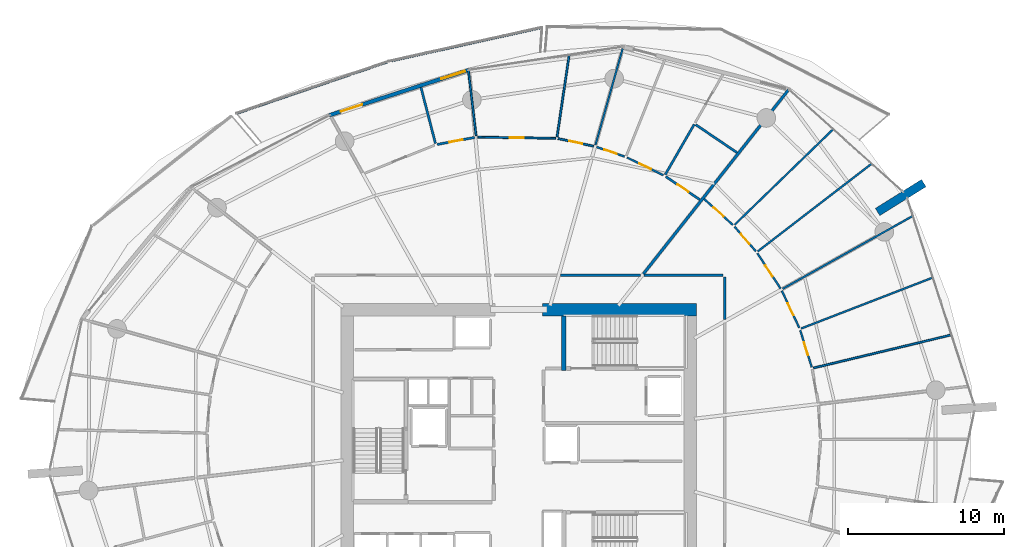
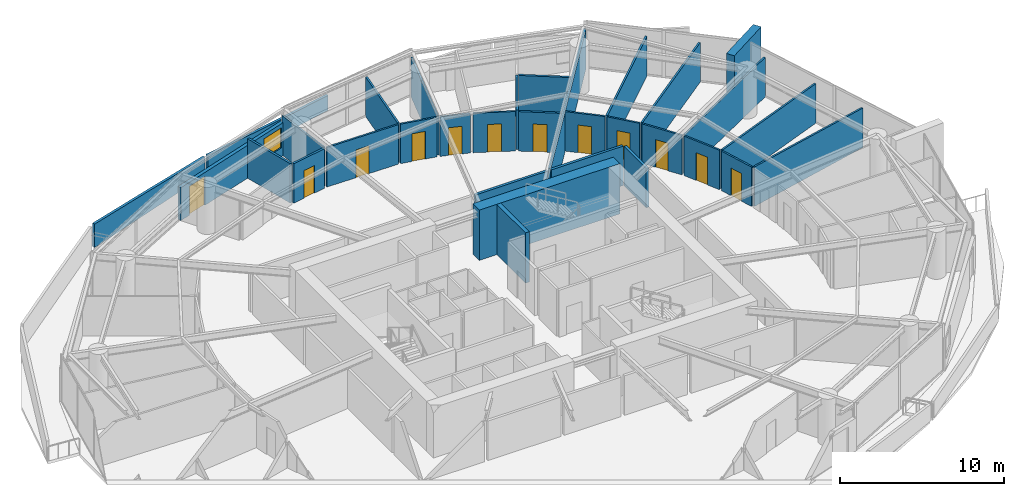
# One storey, part 15 of 23: 32 walls, 12 doors, 1 window, 13 openings.
"""IFC4 building model written with IfcOpenShell, lengths in metres."""

from ifc_helpers import new_model, si_unit, direction, frame, frame_2d, origin, place, context, subcontext, project, spatial, polyline, rectangle, outline, extrude, material, layer, layer_set, type_object, element, fill, save


model = new_model("IFC4")

# Units and contexts
model_context = context("Model", 3, precision=1e-05, world=origin(), true_north=direction((0.0, 1.0)))
body_context = subcontext(model_context, "Body", "Model", "MODEL_VIEW")
ifc_project = project(units=[si_unit("LENGTHUNIT", "METRE"), si_unit("AREAUNIT", "SQUARE_METRE"), si_unit("VOLUMEUNIT", "CUBIC_METRE"), si_unit("PLANEANGLEUNIT", "RADIAN"), si_unit("MASSUNIT", "GRAM", prefix="KILO")], contexts=[model_context])

# Site, building, storey
site_placement = place(None, origin())
site = spatial("IfcSite", under=ifc_project, at=site_placement, CompositionType="ELEMENT")
building_placement = place(site_placement, origin())
building = spatial("IfcBuilding", under=site, at=building_placement, Name="Kazma Halo Residences", CompositionType="ELEMENT")
storey_placement = place(building_placement, frame((0.0, 0.0, 108.89990234375)))
storey = spatial("IfcBuildingStorey", under=building, at=storey_placement, Name="L27", CompositionType="ELEMENT", Elevation=108.89990234375)

# Walls
ifc_material_1 = material(Name="White Concrete C50/60 Balustrade", Category="concrete")
ifc_layer_1 = layer(ifc_material_1, 0.179931640625)
ifc_layer_set_1 = layer_set([ifc_layer_1], Name="White Concrete C50/60 Balustrade")
wall_type_1 = type_object("IfcWallType", Name="WL-BAL-WAVE-180", PredefinedType="PARAPET", material=ifc_layer_set_1)
wall_1_placement = place(storey_placement, frame((49.9248046875, 68.52685546875, 0.0), z_axis=(0.0, 0.0, 1.0), x_axis=(-0.976378265654, -0.216068235423, 0.0)))
element("IfcWall", 1, at=wall_1_placement, inside=storey, type_object=wall_type_1, Name="L27 white wave balustrade wall NNW.1", PredefinedType="PARAPET", context=body_context, shape_type="SweptSolid", body=[
    extrude(outline(polyline([(0.0, 0.0), (9.95458984375, 0.0), (9.95458984375, 1.34814453125), (4.977294921875, 1.18212890625), (0.0, 1.1201171875), (0.0, 0.0)])), frame((0.0, 0.08984375, 0.0), z_axis=(0.0, -1.0, 0.0), x_axis=(1.0, 0.0, 0.0)), (0.0, 0.0, 1.0), 0.179931640625),
])
wall_2_placement = place(storey_placement, frame((39.974609375, 66.311279296875, 0.0), z_axis=(0.0, 0.0, 1.0), x_axis=(-0.94637474678, -0.323070949881, 0.0)))
element("IfcWall", 2, at=wall_2_placement, inside=storey, type_object=wall_type_1, Name="L27 white wave balustrade wall NNW.2", PredefinedType="PARAPET", context=body_context, shape_type="SweptSolid", body=[
    extrude(outline(polyline([(0.0, 0.0), (10.240966796875, 0.0), (10.240966796875, 1.7470703125), (5.12060546875, 1.56201171875), (0.0, 1.34814453125), (0.0, 0.0)])), frame((0.0, 0.08984375, 0.0), z_axis=(0.0, -1.0, 0.0), x_axis=(1.0, 0.0, 0.0)), (0.0, 0.0, 1.0), 0.179931640625),
])
ifc_material_2 = material(Name="Pale Concrete C60/75", Category="concrete")
ifc_layer_2 = layer(ifc_material_2, 0.550048828125)
ifc_layer_set_2 = layer_set([ifc_layer_2], Name="Pale Concrete C60/75")
wall_type_2 = type_object("IfcWallType", Name="WL-BLADE-550", PredefinedType="SOLIDWALL", material=ifc_layer_set_2)
wall_3_placement = place(storey_placement, frame((71.468505859375, 56.664794921875, 0.0), z_axis=(0.0, 0.0, 1.0), x_axis=(0.848053161125, 0.529911158502, 0.0)))
element("IfcWall", 3, at=wall_3_placement, inside=storey, type_object=wall_type_2, Name="L27 pale concrete structural blade fin wall BW-01", PredefinedType="SOLIDWALL", context=body_context, shape_type="SweptSolid", body=[
    extrude(rectangle(XDim=3.5, YDim=0.550048828125, at=frame_2d((1.75, 0.0))), origin(), (0.0, 0.0, 1.0), 3.75),
])
ifc_material_3 = material(Name="Concrete C80/95", Category="concrete")
ifc_layer_3 = layer(ifc_material_3, 0.800048828125)
ifc_layer_set_3 = layer_set([ifc_layer_3], Name="Concrete C80/95")
wall_type_3 = type_object("IfcWallType", Name="WL-CORE-800", PredefinedType="SHEAR", material=ifc_layer_set_3)
wall_4_placement = place(storey_placement, frame((49.949951171875, 50.39990234375, 0.0), z_axis=(0.0, 0.0, 1.0), x_axis=(1.0, 0.0, 0.0)))
element("IfcWall", 4, at=wall_4_placement, inside=storey, type_object=wall_type_3, Name="L27 central core shear wall NE", PredefinedType="SHEAR", context=body_context, shape_type="SweptSolid", body=[
    extrude(rectangle(XDim=9.900146484375, YDim=0.800048828125, at=frame_2d((4.9501953125, 0.0))), origin(), (0.0, 0.0, 1.0), 3.75),
])
ifc_material_4 = material(Name="Concrete C60/75", Category="concrete")
ifc_layer_4 = layer(ifc_material_4, 0.280029296875)
ifc_layer_set_4 = layer_set([ifc_layer_4], Name="Concrete C60/75")
wall_type_4 = type_object("IfcWallType", Name="WL-CORE-ST-280", PredefinedType="SHEAR", material=ifc_layer_set_4)
wall_5_placement = place(storey_placement, frame((51.31005859375, 46.5, 0.0), z_axis=(0.0, 0.0, 1.0), x_axis=(0.0, 1.0, 0.0)))
element("IfcWall", 5, at=wall_5_placement, inside=storey, type_object=wall_type_4, Name="L27 stairwell bearing wall ST02-W", PredefinedType="SHEAR", context=body_context, shape_type="SweptSolid", body=[
    extrude(rectangle(XDim=3.5, YDim=0.280029296875, at=frame_2d((1.75, 0.0))), origin(), (0.0, 0.0, 1.0), 3.75),
])
ifc_material_5 = material(Name="Acoustic Twin-Stud Gypsum")
ifc_layer_5 = layer(ifc_material_5, 0.179931640625)
ifc_layer_set_5 = layer_set([ifc_layer_5], Name="Acoustic Twin-Stud Gypsum")
wall_type_5 = type_object("IfcWallType", Name="WL-DEM-180", PredefinedType="PARTITIONING", material=ifc_layer_set_5)
wall_6_placement = place(storey_placement, frame((56.424560546875, 52.686279296875, 0.0), z_axis=(0.0, 0.0, 1.0), x_axis=(0.619083417853, 0.785325233098, 0.0)))
element("IfcWall", 6, at=wall_6_placement, inside=storey, type_object=wall_type_5, Name="L27 apartment demising radial wall 01", PredefinedType="PARTITIONING", context=body_context, shape_type="SweptSolid", body=[
    extrude(rectangle(XDim=15.063232421875, YDim=0.179931640625, at=frame_2d((7.53173828125, 0.0))), origin(), (0.0, 0.0, 1.0), 2.940185546875),
])
wall_7_placement = place(storey_placement, frame((56.236328125, 52.60009765625, 0.0), z_axis=(0.0, 0.0, 1.0), x_axis=(-1.0, 0.0, 0.0)))
element("IfcWall", 7, at=wall_7_placement, inside=storey, type_object=wall_type_5, Name="L27 Apartment 1 inner wall 1", PredefinedType="PARTITIONING", context=body_context, shape_type="SweptSolid", body=[
    extrude(rectangle(XDim=5.126708984375, YDim=0.179931640625, at=frame_2d((2.5634765625, 0.0))), origin(), (0.0, 0.0, 1.0), 2.940185546875),
])
wall_8_placement = place(storey_placement, frame((61.64990234375, 49.764404296875, 0.0), z_axis=(0.0, 0.0, 1.0), x_axis=(0.0, 1.0, 0.0)))
element("IfcWall", 8, at=wall_8_placement, inside=storey, type_object=wall_type_5, Name="L27 Apartment 3 inner wall 0", PredefinedType="PARTITIONING", context=body_context, shape_type="SweptSolid", body=[
    extrude(rectangle(XDim=2.715576171875, YDim=0.179931640625, at=frame_2d((1.35791015625, 0.0))), origin(), (0.0, 0.0, 1.0), 2.940185546875),
])
wall_9_placement = place(storey_placement, frame((61.530029296875, 52.60009765625, 0.0), z_axis=(0.0, 0.0, 1.0), x_axis=(-1.0, 0.0, 0.0)))
element("IfcWall", 9, at=wall_9_placement, inside=storey, type_object=wall_type_5, Name="L27 Apartment 3 inner wall 0", PredefinedType="PARTITIONING", context=body_context, shape_type="SweptSolid", body=[
    extrude(rectangle(XDim=5.0537109375, YDim=0.179931640625, at=frame_2d((2.52685546875, 0.0))), origin(), (0.0, 0.0, 1.0), 2.940185546875),
])

# Wall, openings, door, window
ifc_material_6 = material(Name="Insulated Pale-Metal Composite Wall")
ifc_layer_6 = layer(ifc_material_6, 0.239990234375)
ifc_layer_set_6 = layer_set([ifc_layer_6], Name="Insulated Pale-Metal Composite Wall")
wall_type_6 = type_object("IfcWallType", Name="WL-EXT-HOST-240", PredefinedType="SOLIDWALL", material=ifc_layer_set_6)
wall_10_placement = place(storey_placement, frame((45.23291015625, 65.797119140625, 0.0), z_axis=(0.0, 0.0, 1.0), x_axis=(-0.951052494852, -0.30902937083, 0.0)))
wall_10 = element("IfcWall", 10, at=wall_10_placement, inside=storey, type_object=wall_type_6, Name="L27 exterior terrace-access wall B04", PredefinedType="SOLIDWALL", context=body_context, shape_type="SweptSolid", body=[
    extrude(rectangle(XDim=9.44384765625, YDim=0.239990234375, at=frame_2d((4.721923828125, 0.0))), origin(), (0.0, 0.0, 1.0), 2.4501953125),
])
opening_1_placement = place(wall_10_placement, frame((7.223876953125, 0.0, 0.0)))
opening_1 = element("IfcOpeningElement", 11, at=opening_1_placement, cuts=wall_10, Name="Opening DTR-1600", PredefinedType="OPENING", context=body_context, shape_type="SweptSolid", body=[
    extrude(rectangle(XDim=1.449951171875, YDim=2.14990234375, at=frame_2d((0.72509765625, 1.074951171875))), frame((0.0, 0.1298828125, 0.0), z_axis=(0.0, -1.0, 0.0), x_axis=(1.0, 0.0, 0.0)), (0.0, 0.0, 1.0), 0.260009765625),
])
opening_2_placement = place(wall_10_placement, frame((0.280029296875, 0.0, 0.64990234375)))
opening_2 = element("IfcOpeningElement", 12, at=opening_2_placement, cuts=wall_10, Name="Opening W-1800", PredefinedType="OPENING", context=body_context, shape_type="SweptSolid", body=[
    extrude(rectangle(XDim=1.60009765625, YDim=1.5, at=frame_2d((0.800048828125, 0.75))), frame((0.0, 0.1298828125, 0.0), z_axis=(0.0, -1.0, 0.0), x_axis=(1.0, 0.0, 0.0)), (0.0, 0.0, 1.0), 0.260009765625),
])
ifc_material_7 = material(Name="Aluminium AW-6063 T6 Double-Glazed Terrace Door", Category="aluminium")
door_type_1 = type_object("IfcDoorType", Name="DR-EXT-TERR-1600", OperationType="NOTDEFINED", PredefinedType="DOOR", material=ifc_material_7)
door_1_placement = place(opening_1_placement, origin())
door_1 = element("IfcDoor", 13, at=door_1_placement, inside=storey, type_object=door_type_1, Name="L27 B04 balcony terrace door", OperationType="DOUBLE_DOOR_SLIDING", OverallHeight=2.14990234375, OverallWidth=1.449951171875, PredefinedType="DOOR", context=body_context, shape_type="SweptSolid", body=[
    extrude(rectangle(XDim=1.449951171875, YDim=2.14990234375, at=frame_2d((0.72509765625, 1.074951171875))), frame((0.0, 0.02490234375, 0.0), z_axis=(0.0, -1.0, 0.0), x_axis=(1.0, 0.0, 0.0)), (0.0, 0.0, 1.0), 0.050048828125),
])
fill(opening_1, door_1)
ifc_material_8 = material(Name="Clear Triple-Silver Low-E Glass in Aluminium AW-6063 T6 Frame", Category="aluminium")
window_type = type_object("IfcWindowType", Name="WIN-RES-1800", PartitioningType="DOUBLE_PANEL_VERTICAL", PredefinedType="WINDOW", material=ifc_material_8)
window_placement = place(opening_2_placement, origin())
window = element("IfcWindow", 14, at=window_placement, inside=storey, type_object=window_type, Name="L27 B04 apartment window", OverallHeight=1.5, OverallWidth=1.60009765625, PartitioningType="SINGLE_PANEL", PredefinedType="WINDOW", context=body_context, shape_type="SweptSolid", body=[
    extrude(rectangle(XDim=1.60009765625, YDim=1.5, at=frame_2d((0.800048828125, 0.75))), frame((0.0, 0.030029296875, 0.0), z_axis=(0.0, -1.0, 0.0), x_axis=(1.0, 0.0, 0.0)), (0.0, 0.0, 1.0), 0.06005859375),
])
fill(opening_2, window)

# Wall, opening, door
ifc_material_9 = material(Name="Gypsum Plasterboard Partition")
ifc_layer_7 = layer(ifc_material_9, 0.125)
ifc_layer_set_7 = layer_set([ifc_layer_7], Name="Gypsum Plasterboard Partition")
wall_type_7 = type_object("IfcWallType", Name="WL-PART-125", PredefinedType="PARTITIONING", material=ifc_layer_set_7)
wall_11_placement = place(storey_placement, frame((57.7080078125, 59.0302734375, 0.0), z_axis=(0.0, 0.0, 1.0), x_axis=(-0.899555648673, 0.436806175484, 0.0)))
wall_11 = element("IfcWall", 15, at=wall_11_placement, inside=storey, type_object=wall_type_7, Name="L27 Apartment 1 Gourmet Kitchen hall wall", PredefinedType="PARTITIONING", context=body_context, shape_type="SweptSolid", body=[
    extrude(rectangle(XDim=2.597412109375, YDim=0.125, at=frame_2d((1.298828125, 0.0))), origin(), (0.0, 0.0, 1.0), 2.940185546875),
])
opening_3_placement = place(wall_11_placement, frame((0.87353515625, 0.0, 0.0)))
opening_3 = element("IfcOpeningElement", 16, at=opening_3_placement, cuts=wall_11, Name="Opening DB-900", PredefinedType="OPENING", context=body_context, shape_type="SweptSolid", body=[
    extrude(rectangle(XDim=0.85009765625, YDim=2.06005859375, at=frame_2d((0.425048828125, 1.030029296875))), frame((0.0, 0.072509765625, 0.0), z_axis=(0.0, -1.0, 0.0), x_axis=(1.0, 0.0, 0.0)), (0.0, 0.0, 1.0), 0.14501953125),
])
ifc_material_10 = material(Name="Moisture-Sealed Timber Leaf", Category="wood")
door_type_2 = type_object("IfcDoorType", Name="DR-BTH-900", OperationType="NOTDEFINED", PredefinedType="DOOR", material=ifc_material_10)
door_2_placement = place(opening_3_placement, origin())
door_2 = element("IfcDoor", 17, at=door_2_placement, inside=storey, type_object=door_type_2, Name="L27 Apartment 1 Gourmet Kitchen door", OperationType="SINGLE_SWING_LEFT", OverallHeight=2.06005859375, OverallWidth=0.85009765625, PredefinedType="DOOR", context=body_context, shape_type="SweptSolid", body=[
    extrude(rectangle(XDim=0.85009765625, YDim=2.06005859375, at=frame_2d((0.425048828125, 1.030029296875))), frame((0.0, 0.02490234375, 0.0), z_axis=(0.0, -1.0, 0.0), x_axis=(1.0, 0.0, 0.0)), (0.0, 0.0, 1.0), 0.050048828125),
])
fill(opening_3, door_2)

wall_12_placement = place(storey_placement, frame((55.223876953125, 60.2255859375, 0.0), z_axis=(0.0, 0.0, 1.0), x_axis=(-0.946642431702, 0.322285752866, 0.0)))
wall_12 = element("IfcWall", 18, at=wall_12_placement, inside=storey, type_object=wall_type_7, Name="L27 Apartment 1 Primary Bedroom hall wall", PredefinedType="PARTITIONING", context=body_context, shape_type="SweptSolid", body=[
    extrude(rectangle(XDim=1.908203125, YDim=0.125, at=frame_2d((0.9541015625, 0.0))), origin(), (0.0, 0.0, 1.0), 2.940185546875),
])
opening_4_placement = place(wall_12_placement, frame((0.529296875, 0.0, 0.0)))
opening_4 = element("IfcOpeningElement", 19, at=opening_4_placement, cuts=wall_12, Name="Opening DB-900", PredefinedType="OPENING", context=body_context, shape_type="SweptSolid", body=[
    extrude(rectangle(XDim=0.85009765625, YDim=2.06005859375, at=frame_2d((0.425048828125, 1.030029296875))), frame((0.0, 0.072509765625, 0.0), z_axis=(0.0, -1.0, 0.0), x_axis=(1.0, 0.0, 0.0)), (0.0, 0.0, 1.0), 0.14501953125),
])
door_3_placement = place(opening_4_placement, origin())
door_3 = element("IfcDoor", 20, at=door_3_placement, inside=storey, type_object=door_type_2, Name="L27 Apartment 1 Primary Bedroom door", OperationType="SINGLE_SWING_RIGHT", OverallHeight=2.06005859375, OverallWidth=0.85009765625, PredefinedType="DOOR", context=body_context, shape_type="SweptSolid", body=[
    extrude(rectangle(XDim=0.85009765625, YDim=2.06005859375, at=frame_2d((0.425048828125, 1.030029296875))), frame((0.0, 0.02490234375, 0.0), z_axis=(0.0, -1.0, 0.0), x_axis=(1.0, 0.0, 0.0)), (0.0, 0.0, 1.0), 0.050048828125),
])
fill(opening_4, door_3)

# Walls
wall_13_placement = place(storey_placement, frame((53.349853515625, 60.968994140625, 0.0), z_axis=(0.0, 0.0, 1.0), x_axis=(0.271449341275, 0.962452728772, 0.0)))
element("IfcWall", 21, at=wall_13_placement, inside=storey, type_object=wall_type_7, Name="L27 Apartment 1 radial partition 2", PredefinedType="PARTITIONING", context=body_context, shape_type="SweptSolid", body=[
    extrude(rectangle(XDim=6.428955078125, YDim=0.125, at=frame_2d((3.21435546875, 0.0))), origin(), (0.0, 0.0, 1.0), 2.940185546875),
])
wall_14_placement = place(storey_placement, frame((50.8828125, 61.48681640625, 0.0), z_axis=(0.0, 0.0, 1.0), x_axis=(0.146319984384, 0.989237313373, 0.0)))
element("IfcWall", 22, at=wall_14_placement, inside=storey, type_object=wall_type_7, Name="L27 Apartment 1 mid-bay wall 2", PredefinedType="PARTITIONING", context=body_context, shape_type="SweptSolid", body=[
    extrude(rectangle(XDim=5.301025390625, YDim=0.125, at=frame_2d((2.650390625, 0.0))), origin(), (0.0, 0.0, 1.0), 2.940185546875),
])

# Wall, opening, door
wall_15_placement = place(storey_placement, frame((53.224853515625, 60.893798828125, 0.0), z_axis=(0.0, 0.0, 1.0), x_axis=(-0.977859146171, 0.209264163799, 0.0)))
wall_15 = element("IfcWall", 23, at=wall_15_placement, inside=storey, type_object=wall_type_7, Name="L27 Apartment 1 East Bedroom hall wall", PredefinedType="PARTITIONING", context=body_context, shape_type="SweptSolid", body=[
    extrude(rectangle(XDim=2.32861328125, YDim=0.125, at=frame_2d((1.164306640625, 0.0))), origin(), (0.0, 0.0, 1.0), 2.940185546875),
])
opening_5_placement = place(wall_15_placement, frame((0.7392578125, 0.0, 0.0)))
opening_5 = element("IfcOpeningElement", 24, at=opening_5_placement, cuts=wall_15, Name="Opening DB-900", PredefinedType="OPENING", context=body_context, shape_type="SweptSolid", body=[
    extrude(rectangle(XDim=0.85009765625, YDim=2.06005859375, at=frame_2d((0.425048828125, 1.030029296875))), frame((0.0, 0.072509765625, 0.0), z_axis=(0.0, -1.0, 0.0), x_axis=(1.0, 0.0, 0.0)), (0.0, 0.0, 1.0), 0.14501953125),
])
door_4_placement = place(opening_5_placement, origin())
door_4 = element("IfcDoor", 25, at=door_4_placement, inside=storey, type_object=door_type_2, Name="L27 Apartment 1 East Bedroom door", OperationType="SINGLE_SWING_RIGHT", OverallHeight=2.06005859375, OverallWidth=0.85009765625, PredefinedType="DOOR", context=body_context, shape_type="SweptSolid", body=[
    extrude(rectangle(XDim=0.85009765625, YDim=2.06005859375, at=frame_2d((0.425048828125, 1.030029296875))), frame((0.0, 0.02490234375, 0.0), z_axis=(0.0, -1.0, 0.0), x_axis=(1.0, 0.0, 0.0)), (0.0, 0.0, 1.0), 0.050048828125),
])
fill(opening_5, door_4)

wall_16_placement = place(storey_placement, frame((50.78955078125, 61.399169921875, 0.0), z_axis=(0.0, 0.0, 1.0), x_axis=(-0.999894626753, 0.014516727973, 0.0)))
wall_16 = element("IfcWall", 26, at=wall_16_placement, inside=storey, type_object=wall_type_7, Name="L27 Apartment 1 West Bedroom hall wall", PredefinedType="PARTITIONING", context=body_context, shape_type="SweptSolid", body=[
    extrude(rectangle(XDim=4.994873046875, YDim=0.125, at=frame_2d((2.49755859375, 0.0))), origin(), (0.0, 0.0, 1.0), 2.940185546875),
])
opening_6_placement = place(wall_16_placement, frame((2.047607421875, 0.0, 0.0)))
opening_6 = element("IfcOpeningElement", 27, at=opening_6_placement, cuts=wall_16, Name="Opening DI-950", PredefinedType="OPENING", context=body_context, shape_type="SweptSolid", body=[
    extrude(rectangle(XDim=0.89990234375, YDim=2.080078125, at=frame_2d((0.449951171875, 1.0400390625))), frame((0.0, 0.072509765625, 0.0), z_axis=(0.0, -1.0, 0.0), x_axis=(1.0, 0.0, 0.0)), (0.0, 0.0, 1.0), 0.14501953125),
])
ifc_material_11 = material(Name="Timber Veneer Flush Leaf", Category="wood")
door_type_3 = type_object("IfcDoorType", Name="DR-INT-950", OperationType="NOTDEFINED", PredefinedType="DOOR", material=ifc_material_11)
door_5_placement = place(opening_6_placement, origin())
door_5 = element("IfcDoor", 28, at=door_5_placement, inside=storey, type_object=door_type_3, Name="L27 Apartment 1 West Bedroom door", OperationType="SINGLE_SWING_LEFT", OverallHeight=2.080078125, OverallWidth=0.89990234375, PredefinedType="DOOR", context=body_context, shape_type="SweptSolid", body=[
    extrude(rectangle(XDim=0.89990234375, YDim=2.080078125, at=frame_2d((0.449951171875, 1.0400390625))), frame((0.0, 0.02490234375, 0.0), z_axis=(0.0, -1.0, 0.0), x_axis=(1.0, 0.0, 0.0)), (0.0, 0.0, 1.0), 0.050048828125),
])
fill(opening_6, door_5)

# Walls
wall_17_placement = place(storey_placement, frame((45.683349609375, 61.572509765625, 0.0), z_axis=(0.0, 0.0, 1.0), x_axis=(-0.117513626782, 0.993071270111, 0.0)))
element("IfcWall", 29, at=wall_17_placement, inside=storey, type_object=wall_type_7, Name="L27 Apartment 1 radial partition 3", PredefinedType="PARTITIONING", context=body_context, shape_type="SweptSolid", body=[
    extrude(rectangle(XDim=4.21337890625, YDim=0.125, at=frame_2d((2.106689453125, 0.0))), origin(), (0.0, 0.0, 1.0), 2.940185546875),
])
wall_18_placement = place(storey_placement, frame((67.35205078125, 46.64599609375, 0.0), z_axis=(0.0, 0.0, 1.0), x_axis=(0.972370982899, 0.233440938173, 0.0)))
element("IfcWall", 30, at=wall_18_placement, inside=storey, type_object=wall_type_7, Name="L27 Apartment 3 bay wall 1 15", PredefinedType="PARTITIONING", context=body_context, shape_type="SweptSolid", body=[
    extrude(rectangle(XDim=9.099853515625, YDim=0.125, at=frame_2d((4.5498046875, 0.0))), origin(), (0.0, 0.0, 1.0), 2.940185546875),
])
wall_19_placement = place(storey_placement, frame((66.561279296875, 49.180908203125, 0.0), z_axis=(0.0, 0.0, 1.0), x_axis=(0.932639821871, 0.360808761896, 0.0)))
element("IfcWall", 31, at=wall_19_placement, inside=storey, type_object=wall_type_7, Name="L27 Apartment 3 bay wall 2 15", PredefinedType="PARTITIONING", context=body_context, shape_type="SweptSolid", body=[
    extrude(rectangle(XDim=9.05419921875, YDim=0.125, at=frame_2d((4.527099609375, 0.0))), origin(), (0.0, 0.0, 1.0), 2.940185546875),
])

# Wall, opening, door
wall_20_placement = place(storey_placement, frame((67.24072265625, 46.701416015625, 0.0), z_axis=(0.0, 0.0, 1.0), x_axis=(-0.297793530793, 0.954630301749, 0.0)))
wall_20 = element("IfcWall", 32, at=wall_20_placement, inside=storey, type_object=wall_type_7, Name="L27 Apartment 3 Secondary Study hall wall", PredefinedType="PARTITIONING", context=body_context, shape_type="SweptSolid", body=[
    extrude(rectangle(XDim=2.483154296875, YDim=0.125, at=frame_2d((1.24169921875, 0.0))), origin(), (0.0, 0.0, 1.0), 2.940185546875),
])
opening_7_placement = place(wall_20_placement, frame((0.816650390625, 0.0, 0.0)))
opening_7 = element("IfcOpeningElement", 33, at=opening_7_placement, cuts=wall_20, Name="Opening DB-900", PredefinedType="OPENING", context=body_context, shape_type="SweptSolid", body=[
    extrude(rectangle(XDim=0.85009765625, YDim=2.06005859375, at=frame_2d((0.425048828125, 1.030029296875))), frame((0.0, 0.072509765625, 0.0), z_axis=(0.0, -1.0, 0.0), x_axis=(1.0, 0.0, 0.0)), (0.0, 0.0, 1.0), 0.14501953125),
])
door_6_placement = place(opening_7_placement, origin())
door_6 = element("IfcDoor", 34, at=door_6_placement, inside=storey, type_object=door_type_2, Name="L27 Apartment 3 Secondary Study door", OperationType="SINGLE_SWING_LEFT", OverallHeight=2.06005859375, OverallWidth=0.85009765625, PredefinedType="DOOR", context=body_context, shape_type="SweptSolid", body=[
    extrude(rectangle(XDim=0.85009765625, YDim=2.06005859375, at=frame_2d((0.425048828125, 1.030029296875))), frame((0.0, 0.02490234375, 0.0), z_axis=(0.0, -1.0, 0.0), x_axis=(1.0, 0.0, 0.0)), (0.0, 0.0, 1.0), 0.050048828125),
])
fill(opening_7, door_6)

wall_21_placement = place(storey_placement, frame((66.443359375, 49.220703125, 0.0), z_axis=(0.0, 0.0, 1.0), x_axis=(-0.425730193436, 0.904850154665, 0.0)))
wall_21 = element("IfcWall", 35, at=wall_21_placement, inside=storey, type_object=wall_type_7, Name="L27 Apartment 3 East Bedroom hall wall", PredefinedType="PARTITIONING", context=body_context, shape_type="SweptSolid", body=[
    extrude(rectangle(XDim=2.638427734375, YDim=0.125, at=frame_2d((1.3193359375, 0.0))), origin(), (0.0, 0.0, 1.0), 2.940185546875),
])
opening_8_placement = place(wall_21_placement, frame((0.894287109375, 0.0, 0.0)))
opening_8 = element("IfcOpeningElement", 36, at=opening_8_placement, cuts=wall_21, Name="Opening DB-900", PredefinedType="OPENING", context=body_context, shape_type="SweptSolid", body=[
    extrude(rectangle(XDim=0.85009765625, YDim=2.06005859375, at=frame_2d((0.425048828125, 1.030029296875))), frame((0.0, 0.072509765625, 0.0), z_axis=(0.0, -1.0, 0.0), x_axis=(1.0, 0.0, 0.0)), (0.0, 0.0, 1.0), 0.14501953125),
])
door_7_placement = place(opening_8_placement, origin())
door_7 = element("IfcDoor", 37, at=door_7_placement, inside=storey, type_object=door_type_2, Name="L27 Apartment 3 East Bedroom door", OperationType="SINGLE_SWING_RIGHT", OverallHeight=2.06005859375, OverallWidth=0.85009765625, PredefinedType="DOOR", context=body_context, shape_type="SweptSolid", body=[
    extrude(rectangle(XDim=0.85009765625, YDim=2.06005859375, at=frame_2d((0.425048828125, 1.030029296875))), frame((0.0, 0.02490234375, 0.0), z_axis=(0.0, -1.0, 0.0), x_axis=(1.0, 0.0, 0.0)), (0.0, 0.0, 1.0), 0.050048828125),
])
fill(opening_8, door_7)

# Walls
wall_22_placement = place(storey_placement, frame((65.373046875, 51.7294921875, 0.0), z_axis=(0.0, 0.0, 1.0), x_axis=(0.872500794254, 0.488612693272, 0.0)))
element("IfcWall", 38, at=wall_22_placement, inside=storey, type_object=wall_type_7, Name="L27 Apartment 3 radial partition 0", PredefinedType="PARTITIONING", context=body_context, shape_type="SweptSolid", body=[
    extrude(rectangle(XDim=9.567626953125, YDim=0.125, at=frame_2d((4.78369140625, 0.0))), origin(), (0.0, 0.0, 1.0), 2.940185546875),
])
wall_23_placement = place(storey_placement, frame((63.7734375, 54.13623046875, 0.0), z_axis=(0.0, 0.0, 1.0), x_axis=(0.792546059912, 0.609812055405, 0.0)))
element("IfcWall", 39, at=wall_23_placement, inside=storey, type_object=wall_type_7, Name="L27 Apartment 3 bay wall 1 0", PredefinedType="PARTITIONING", context=body_context, shape_type="SweptSolid", body=[
    extrude(rectangle(XDim=9.201416015625, YDim=0.125, at=frame_2d((4.6005859375, 0.0))), origin(), (0.0, 0.0, 1.0), 2.940185546875),
])
wall_24_placement = place(storey_placement, frame((62.2919921875, 55.85009765625, 0.0), z_axis=(0.0, 0.0, 1.0), x_axis=(0.718126885769, 0.695912189817, 0.0)))
element("IfcWall", 40, at=wall_24_placement, inside=storey, type_object=wall_type_7, Name="L27 Apartment 3 bay wall 2 0", PredefinedType="PARTITIONING", context=body_context, shape_type="SweptSolid", body=[
    extrude(rectangle(XDim=8.781005859375, YDim=0.125, at=frame_2d((4.390625, 0.0))), origin(), (0.0, 0.0, 1.0), 2.940185546875),
])

# Wall, opening, door
wall_25_placement = place(storey_placement, frame((65.24169921875, 51.747314453125, 0.0), z_axis=(0.0, 0.0, 1.0), x_axis=(-0.550669378286, 0.834723448705, 0.0)))
wall_25 = element("IfcWall", 41, at=wall_25_placement, inside=storey, type_object=wall_type_7, Name="L27 Apartment 3 West Bedroom hall wall", PredefinedType="PARTITIONING", context=body_context, shape_type="SweptSolid", body=[
    extrude(rectangle(XDim=2.716064453125, YDim=0.125, at=frame_2d((1.35791015625, 0.0))), origin(), (0.0, 0.0, 1.0), 2.940185546875),
])
opening_9_placement = place(wall_25_placement, frame((0.93310546875, 0.0, 0.0)))
opening_9 = element("IfcOpeningElement", 42, at=opening_9_placement, cuts=wall_25, Name="Opening DB-900", PredefinedType="OPENING", context=body_context, shape_type="SweptSolid", body=[
    extrude(rectangle(XDim=0.85009765625, YDim=2.06005859375, at=frame_2d((0.425048828125, 1.030029296875))), frame((0.0, 0.072509765625, 0.0), z_axis=(0.0, -1.0, 0.0), x_axis=(1.0, 0.0, 0.0)), (0.0, 0.0, 1.0), 0.14501953125),
])
door_8_placement = place(opening_9_placement, origin())
door_8 = element("IfcDoor", 43, at=door_8_placement, inside=storey, type_object=door_type_2, Name="L27 Apartment 3 West Bedroom door", OperationType="SINGLE_SWING_LEFT", OverallHeight=2.06005859375, OverallWidth=0.85009765625, PredefinedType="DOOR", context=body_context, shape_type="SweptSolid", body=[
    extrude(rectangle(XDim=0.85009765625, YDim=2.06005859375, at=frame_2d((0.425048828125, 1.030029296875))), frame((0.0, 0.02490234375, 0.0), z_axis=(0.0, -1.0, 0.0), x_axis=(1.0, 0.0, 0.0)), (0.0, 0.0, 1.0), 0.050048828125),
])
fill(opening_9, door_8)

wall_26_placement = place(storey_placement, frame((63.64990234375, 54.141845703125, 0.0), z_axis=(0.0, 0.0, 1.0), x_axis=(-0.65397173696, 0.756518980104, 0.0)))
wall_26 = element("IfcWall", 44, at=wall_26_placement, inside=storey, type_object=wall_type_7, Name="L27 Apartment 3 North Study hall wall", PredefinedType="PARTITIONING", context=body_context, shape_type="SweptSolid", body=[
    extrude(rectangle(XDim=2.094970703125, YDim=0.125, at=frame_2d((1.04736328125, 0.0))), origin(), (0.0, 0.0, 1.0), 2.940185546875),
])
opening_10_placement = place(wall_26_placement, frame((0.62255859375, 0.0, 0.0)))
opening_10 = element("IfcOpeningElement", 45, at=opening_10_placement, cuts=wall_26, Name="Opening DB-900", PredefinedType="OPENING", context=body_context, shape_type="SweptSolid", body=[
    extrude(rectangle(XDim=0.85009765625, YDim=2.06005859375, at=frame_2d((0.425048828125, 1.030029296875))), frame((0.0, 0.072509765625, 0.0), z_axis=(0.0, -1.0, 0.0), x_axis=(1.0, 0.0, 0.0)), (0.0, 0.0, 1.0), 0.14501953125),
])
door_9_placement = place(opening_10_placement, origin())
door_9 = element("IfcDoor", 46, at=door_9_placement, inside=storey, type_object=door_type_2, Name="L27 Apartment 3 North Study door", OperationType="SINGLE_SWING_RIGHT", OverallHeight=2.06005859375, OverallWidth=0.85009765625, PredefinedType="DOOR", context=body_context, shape_type="SweptSolid", body=[
    extrude(rectangle(XDim=0.85009765625, YDim=2.06005859375, at=frame_2d((0.425048828125, 1.030029296875))), frame((0.0, 0.02490234375, 0.0), z_axis=(0.0, -1.0, 0.0), x_axis=(1.0, 0.0, 0.0)), (0.0, 0.0, 1.0), 0.050048828125),
])
fill(opening_10, door_9)

wall_27_placement = place(storey_placement, frame((62.168212890625, 55.841064453125, 0.0), z_axis=(0.0, 0.0, 1.0), x_axis=(-0.742266682882, 0.67010459742, 0.0)))
wall_27 = element("IfcWall", 47, at=wall_27_placement, inside=storey, type_object=wall_type_7, Name="L27 Apartment 3 South Bedroom hall wall", PredefinedType="PARTITIONING", context=body_context, shape_type="SweptSolid", body=[
    extrude(rectangle(XDim=2.4833984375, YDim=0.125, at=frame_2d((1.24169921875, 0.0))), origin(), (0.0, 0.0, 1.0), 2.940185546875),
])
opening_11_placement = place(wall_27_placement, frame((0.816650390625, 0.0, 0.0)))
opening_11 = element("IfcOpeningElement", 48, at=opening_11_placement, cuts=wall_27, Name="Opening DB-900", PredefinedType="OPENING", context=body_context, shape_type="SweptSolid", body=[
    extrude(rectangle(XDim=0.85009765625, YDim=2.06005859375, at=frame_2d((0.425048828125, 1.030029296875))), frame((0.0, 0.072509765625, 0.0), z_axis=(0.0, -1.0, 0.0), x_axis=(1.0, 0.0, 0.0)), (0.0, 0.0, 1.0), 0.14501953125),
])
door_10_placement = place(opening_11_placement, origin())
door_10 = element("IfcDoor", 49, at=door_10_placement, inside=storey, type_object=door_type_2, Name="L27 Apartment 3 South Bedroom door", OperationType="SINGLE_SWING_LEFT", OverallHeight=2.06005859375, OverallWidth=0.85009765625, PredefinedType="DOOR", context=body_context, shape_type="SweptSolid", body=[
    extrude(rectangle(XDim=0.85009765625, YDim=2.06005859375, at=frame_2d((0.425048828125, 1.030029296875))), frame((0.0, 0.02490234375, 0.0), z_axis=(0.0, -1.0, 0.0), x_axis=(1.0, 0.0, 0.0)), (0.0, 0.0, 1.0), 0.050048828125),
])
fill(opening_11, door_10)

ifc_material_12 = material(Name="Moisture-Resistant Gypsum")
ifc_layer_8 = layer(ifc_material_12, 0.14990234375)
ifc_layer_set_8 = layer_set([ifc_layer_8], Name="Moisture-Resistant Gypsum")
wall_type_8 = type_object("IfcWallType", Name="WL-WET-150", PredefinedType="PARTITIONING", material=ifc_layer_set_8)
wall_28_placement = place(storey_placement, frame((60.056884765625, 57.455322265625, 0.0), z_axis=(0.0, 0.0, 1.0), x_axis=(-0.828073269886, 0.560619888783, 0.0)))
wall_28 = element("IfcWall", 50, at=wall_28_placement, inside=storey, type_object=wall_type_8, Name="L27 Apartment 1 Guest Bathroom hall wall", PredefinedType="PARTITIONING", context=body_context, shape_type="SweptSolid", body=[
    extrude(rectangle(XDim=2.64892578125, YDim=0.14990234375, at=frame_2d((1.324462890625, 0.0))), origin(), (0.0, 0.0, 1.0), 2.940185546875),
])
opening_12_placement = place(wall_28_placement, frame((0.8994140625, 0.0, 0.0)))
opening_12 = element("IfcOpeningElement", 51, at=opening_12_placement, cuts=wall_28, Name="Opening DB-900", PredefinedType="OPENING", context=body_context, shape_type="SweptSolid", body=[
    extrude(rectangle(XDim=0.85009765625, YDim=2.06005859375, at=frame_2d((0.425048828125, 1.030029296875))), frame((0.0, 0.0849609375, 0.0), z_axis=(0.0, -1.0, 0.0), x_axis=(1.0, 0.0, 0.0)), (0.0, 0.0, 1.0), 0.169921875),
])
door_11_placement = place(opening_12_placement, origin())
door_11 = element("IfcDoor", 52, at=door_11_placement, inside=storey, type_object=door_type_2, Name="L27 Apartment 1 Guest Bathroom door", OperationType="SINGLE_SWING_LEFT", OverallHeight=2.06005859375, OverallWidth=0.85009765625, PredefinedType="DOOR", context=body_context, shape_type="SweptSolid", body=[
    extrude(rectangle(XDim=0.85009765625, YDim=2.06005859375, at=frame_2d((0.425048828125, 1.030029296875))), frame((0.0, 0.02490234375, 0.0), z_axis=(0.0, -1.0, 0.0), x_axis=(1.0, 0.0, 0.0)), (0.0, 0.0, 1.0), 0.050048828125),
])
fill(opening_12, door_11)

# Walls
wall_29_placement = place(storey_placement, frame((62.4404296875, 60.478759765625, 0.0), z_axis=(0.0, 0.0, 1.0), x_axis=(-0.828057808374, 0.560642725798, 0.0)))
element("IfcWall", 53, at=wall_29_placement, inside=storey, type_object=wall_type_8, Name="L27 Apartment 1 Guest Bathroom back wall", PredefinedType="PARTITIONING", context=body_context, shape_type="SweptSolid", body=[
    extrude(rectangle(XDim=3.206298828125, YDim=0.14990234375, at=frame_2d((1.60302734375, 0.0))), origin(), (0.0, 0.0, 1.0), 2.940185546875),
])
wall_30_placement = place(storey_placement, frame((57.833740234375, 59.06884765625, 0.0), z_axis=(0.0, 0.0, 1.0), x_axis=(0.49925269443, 0.866456431164, 0.0)))
element("IfcWall", 54, at=wall_30_placement, inside=storey, type_object=wall_type_8, Name="L27 Apartment 1 Guest Bathroom side wall", PredefinedType="PARTITIONING", context=body_context, shape_type="SweptSolid", body=[
    extrude(rectangle(XDim=3.719970703125, YDim=0.14990234375, at=frame_2d((1.85986328125, 0.0))), origin(), (0.0, 0.0, 1.0), 2.940185546875),
])

# Wall, opening, door
wall_31_placement = place(storey_placement, frame((45.596923828125, 61.45458984375, 0.0), z_axis=(0.0, 0.0, 1.0), x_axis=(-0.982882310082, -0.18423453674, 0.0)))
wall_31 = element("IfcWall", 55, at=wall_31_placement, inside=storey, type_object=wall_type_8, Name="L27 Apartment 1 North En-Suite Bathroom hall wall", PredefinedType="PARTITIONING", context=body_context, shape_type="SweptSolid", body=[
    extrude(rectangle(XDim=2.456787109375, YDim=0.14990234375, at=frame_2d((1.228515625, 0.0))), origin(), (0.0, 0.0, 1.0), 2.940185546875),
])
opening_13_placement = place(wall_31_placement, frame((0.803466796875, 0.0, 0.0)))
opening_13 = element("IfcOpeningElement", 56, at=opening_13_placement, cuts=wall_31, Name="Opening DB-900", PredefinedType="OPENING", context=body_context, shape_type="SweptSolid", body=[
    extrude(rectangle(XDim=0.85009765625, YDim=2.06005859375, at=frame_2d((0.425048828125, 1.030029296875))), frame((0.0, 0.0849609375, 0.0), z_axis=(0.0, -1.0, 0.0), x_axis=(1.0, 0.0, 0.0)), (0.0, 0.0, 1.0), 0.169921875),
])
door_12_placement = place(opening_13_placement, origin())
door_12 = element("IfcDoor", 57, at=door_12_placement, inside=storey, type_object=door_type_2, Name="L27 Apartment 1 North En-Suite Bathroom door", OperationType="SINGLE_SWING_LEFT", OverallHeight=2.06005859375, OverallWidth=0.85009765625, PredefinedType="DOOR", context=body_context, shape_type="SweptSolid", body=[
    extrude(rectangle(XDim=0.85009765625, YDim=2.06005859375, at=frame_2d((0.425048828125, 1.030029296875))), frame((0.0, 0.02490234375, 0.0), z_axis=(0.0, -1.0, 0.0), x_axis=(1.0, 0.0, 0.0)), (0.0, 0.0, 1.0), 0.050048828125),
])
fill(opening_13, door_12)

# Wall
wall_32_placement = place(storey_placement, frame((43.071044921875, 61.072509765625, 0.0), z_axis=(0.0, 0.0, 1.0), x_axis=(-0.250228515302, 0.968186805389, 0.0)))
element("IfcWall", 58, at=wall_32_placement, inside=storey, type_object=wall_type_8, Name="L27 Apartment 1 North En-Suite Bathroom side wall", PredefinedType="PARTITIONING", context=body_context, shape_type="SweptSolid", body=[
    extrude(rectangle(XDim=3.70751953125, YDim=0.14990234375, at=frame_2d((1.853759765625, 0.0))), origin(), (0.0, 0.0, 1.0), 2.940185546875),
])

save(model, "model.ifc")
